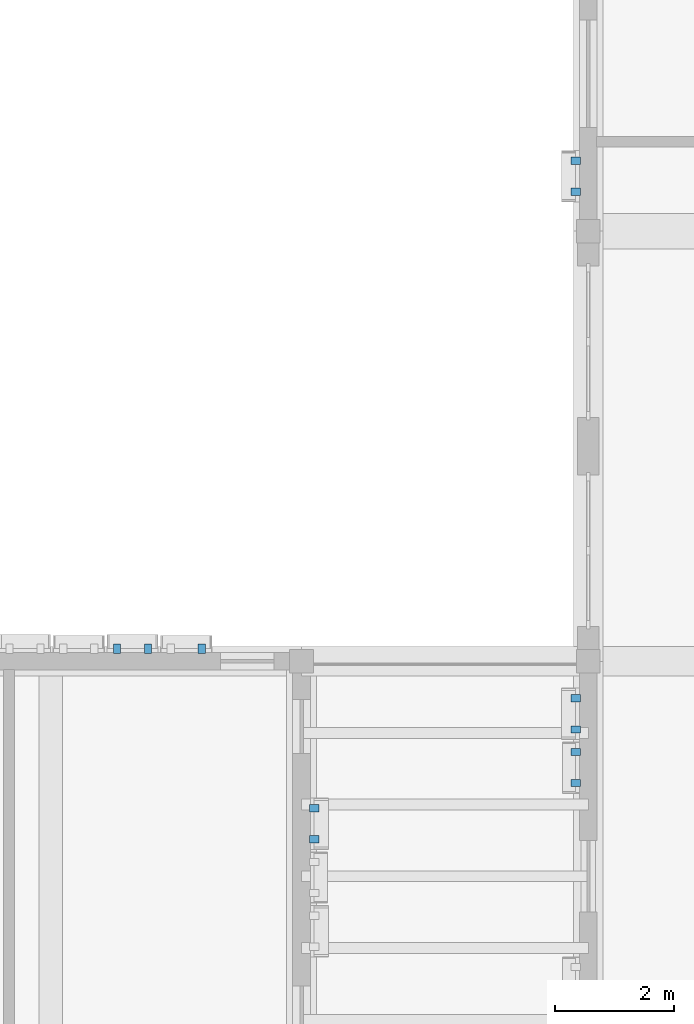
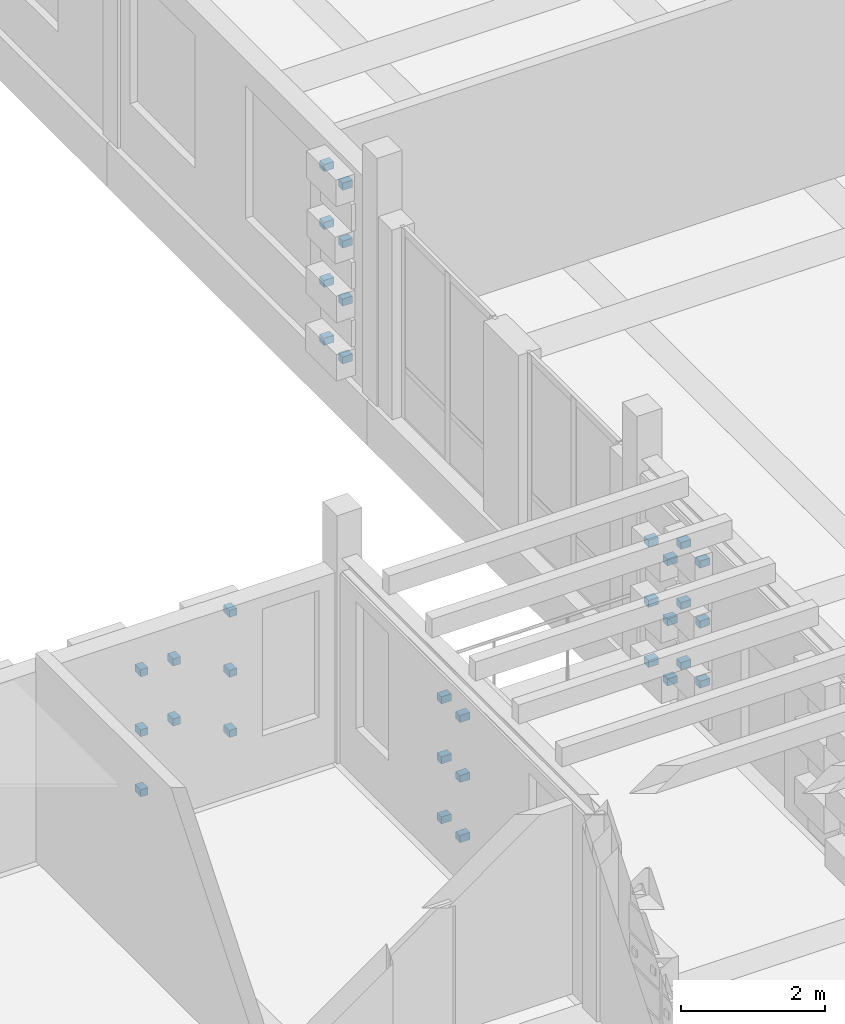
# One storey, part 85 of 99: 34 discrete accessories.
"""IFC4 building model written with IfcOpenShell, lengths in metres."""

from ifc_helpers import new_model, si_unit, direction, frame, origin, origin_2d, place, context, subcontext, project, spatial, rectangle, extrude, material, type_object, element, save


model = new_model("IFC4")

# Units and contexts
model_context = context("Model", 3, precision=1e-05, world=origin(), true_north=direction((0.0, 1.0)))
body_context = subcontext(model_context, "Body", "Model", "MODEL_VIEW")
ifc_project = project(units=[si_unit("LENGTHUNIT", "METRE"), si_unit("AREAUNIT", "SQUARE_METRE"), si_unit("VOLUMEUNIT", "CUBIC_METRE"), si_unit("PLANEANGLEUNIT", "RADIAN"), si_unit("MASSUNIT", "GRAM", prefix="KILO")], contexts=[model_context])

# Site, building, storey
site_placement = place(None, origin())
site = spatial("IfcSite", under=ifc_project, at=site_placement, CompositionType="ELEMENT")
building_placement = place(site_placement, origin())
building = spatial("IfcBuilding", under=site, at=building_placement, Name="Kahlenmark Community Centre", CompositionType="ELEMENT")
storey_placement = place(building_placement, frame((0.0, 0.0, 5.39990234375)))
storey = spatial("IfcBuildingStorey", under=building, at=storey_placement, Name="L01", CompositionType="ELEMENT", Elevation=5.39990234375)

# Discrete accessories
ifc_material = material(Name="Stainless steel 1.4401 rainscreen bracket", Category="steel")
discrete_accessory_type = type_object("IfcDiscreteAccessoryType", Name="DAT-BRACKET-TC", PredefinedType="BRACKET", material=ifc_material)
for number, where, z_axis, x_axis, name in (
    (1, (115.1298828125, 23.409912109375, 0.781982421875), (0.0, 0.0, 1.0), (-1.0, 0.0, 0.0), "Terracotta cassette bracket 1422.1"),
    (2, (115.1298828125, 23.409912109375, 1.798095703125), (0.0, 0.0, 1.0), (-1.0, 0.0, 0.0), "Terracotta cassette bracket 1424.1"),
    (3, (115.1298828125, 23.409912109375, 2.81396484375), (0.0, 0.0, 1.0), (-1.0, 0.0, 0.0), "Terracotta cassette bracket 1426.1"),
    (4, (113.7099609375, 23.409912109375, 0.27392578125), (0.0, 0.0, 1.0), (-1.0, 0.0, 0.0), "Terracotta cassette bracket 1427.2"),
    (5, (114.22998046875, 23.409912109375, 1.2900390625), (0.0, 0.0, 1.0), (-1.0, 0.0, 0.0), "Terracotta cassette bracket 1429.1"),
    (6, (113.7099609375, 23.409912109375, 1.2900390625), (0.0, 0.0, 1.0), (-1.0, 0.0, 0.0), "Terracotta cassette bracket 1429.2"),
    (7, (114.22998046875, 23.409912109375, 2.30615234375), (0.0, 0.0, 1.0), (-1.0, 0.0, 0.0), "Terracotta cassette bracket 1431.1"),
    (8, (113.7099609375, 23.409912109375, 2.30615234375), (0.0, 0.0, 1.0), (-1.0, 0.0, 0.0), "Terracotta cassette bracket 1431.2"),
    (9, (117.010009765625, 20.219970703125, 0.27392578125), (0.0, 0.0, 1.0), (0.0, 1.0, 0.0), "Terracotta cassette bracket 1535.1"),
    (10, (117.010009765625, 20.739990234375, 0.27392578125), (0.0, 0.0, 1.0), (0.0, 1.0, 0.0), "Terracotta cassette bracket 1535.2"),
    (11, (117.010009765625, 20.219970703125, 1.2900390625), (0.0, 0.0, 1.0), (0.0, 1.0, 0.0), "Terracotta cassette bracket 1537.1"),
    (12, (117.010009765625, 20.739990234375, 1.2900390625), (0.0, 0.0, 1.0), (0.0, 1.0, 0.0), "Terracotta cassette bracket 1537.2"),
    (13, (117.010009765625, 20.219970703125, 2.30615234375), (0.0, 0.0, 1.0), (0.0, 1.0, 0.0), "Terracotta cassette bracket 1539.1"),
    (14, (117.010009765625, 20.739990234375, 2.30615234375), (0.0, 0.0, 1.0), (0.0, 1.0, 0.0), "Terracotta cassette bracket 1539.2"),
    (15, (121.389892578125, 22.580078125, 0.27392578125), (0.0, 0.0, 1.0), (0.0, -1.0, 0.0), "Terracotta cassette bracket 1662.1"),
    (16, (121.389892578125, 22.06005859375, 0.27392578125), (0.0, 0.0, 1.0), (0.0, -1.0, 0.0), "Terracotta cassette bracket 1662.2"),
    (17, (121.389892578125, 22.580078125, 1.2900390625), (0.0, 0.0, 1.0), (0.0, -1.0, 0.0), "Terracotta cassette bracket 1664.1"),
    (18, (121.389892578125, 22.06005859375, 1.2900390625), (0.0, 0.0, 1.0), (0.0, -1.0, 0.0), "Terracotta cassette bracket 1664.2"),
    (19, (121.389892578125, 22.580078125, 2.30615234375), (0.0, 0.0, 1.0), (0.0, -1.0, 0.0), "Terracotta cassette bracket 1666.1"),
    (20, (121.389892578125, 22.06005859375, 2.30615234375), (0.0, 0.0, 1.0), (0.0, -1.0, 0.0), "Terracotta cassette bracket 1666.2"),
    (21, (121.389892578125, 21.679931640625, 0.781982421875), (0.0, 0.0, 1.0), (0.0, -1.0, 0.0), "Terracotta cassette bracket 1669.1"),
    (22, (121.389892578125, 21.159912109375, 0.781982421875), (0.0, 0.0, 1.0), (0.0, -1.0, 0.0), "Terracotta cassette bracket 1669.2"),
    (23, (121.389892578125, 21.679931640625, 1.798095703125), (0.0, 0.0, 1.0), (0.0, -1.0, 0.0), "Terracotta cassette bracket 1671.1"),
    (24, (121.389892578125, 21.159912109375, 1.798095703125), (0.0, 0.0, 1.0), (0.0, -1.0, 0.0), "Terracotta cassette bracket 1671.2"),
    (25, (121.389892578125, 21.679931640625, 2.81396484375), (0.0, 0.0, 1.0), (0.0, -1.0, 0.0), "Terracotta cassette bracket 1673.1"),
    (26, (121.389892578125, 21.159912109375, 2.81396484375), (0.0, 0.0, 1.0), (0.0, -1.0, 0.0), "Terracotta cassette bracket 1673.2"),
    (27, (121.389892578125, 31.580078125, 0.26513671875), (0.0, 0.0, 1.0), (0.0, -1.0, 0.0), "Terracotta cassette bracket 1742.1"),
    (28, (121.389892578125, 31.06005859375, 0.26513671875), (0.0, 0.0, 1.0), (0.0, -1.0, 0.0), "Terracotta cassette bracket 1742.2"),
    (29, (121.389892578125, 31.580078125, 1.2451171875), (0.0, 0.0, 1.0), (0.0, -1.0, 0.0), "Terracotta cassette bracket 1744.1"),
    (30, (121.389892578125, 31.06005859375, 1.2451171875), (0.0, 0.0, 1.0), (0.0, -1.0, 0.0), "Terracotta cassette bracket 1744.2"),
    (31, (121.389892578125, 31.580078125, 2.22509765625), (0.0, 0.0, 1.0), (0.0, -1.0, 0.0), "Terracotta cassette bracket 1746.1"),
    (32, (121.389892578125, 31.06005859375, 2.22509765625), (0.0, 0.0, 1.0), (0.0, -1.0, 0.0), "Terracotta cassette bracket 1746.2"),
    (33, (121.389892578125, 31.580078125, 3.205078125), (0.0, 0.0, 1.0), (0.0, -1.0, 0.0), "Terracotta cassette bracket 1748.1"),
    (34, (121.389892578125, 31.06005859375, 3.205078125), (0.0, 0.0, 1.0), (0.0, -1.0, 0.0), "Terracotta cassette bracket 1748.2"),
):
    element("IfcDiscreteAccessory", number, at=place(storey_placement, frame(where, z_axis=z_axis, x_axis=x_axis)), inside=storey, type_object=discrete_accessory_type, Name=name, PredefinedType="BRACKET", context=body_context, shape_type="SweptSolid", body=[
        extrude(rectangle(XDim=0.1201171875, YDim=0.159912109375, at=origin_2d()), origin(), (0.0, 0.0, 1.0), 0.1201171875),
    ])

save(model, "model.ifc")
